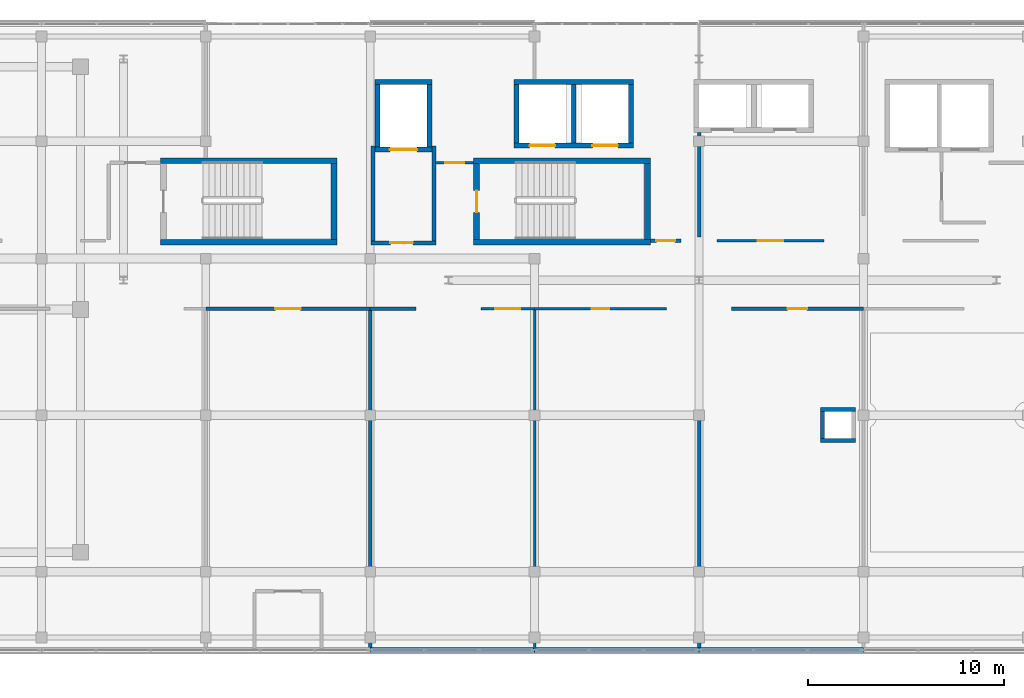
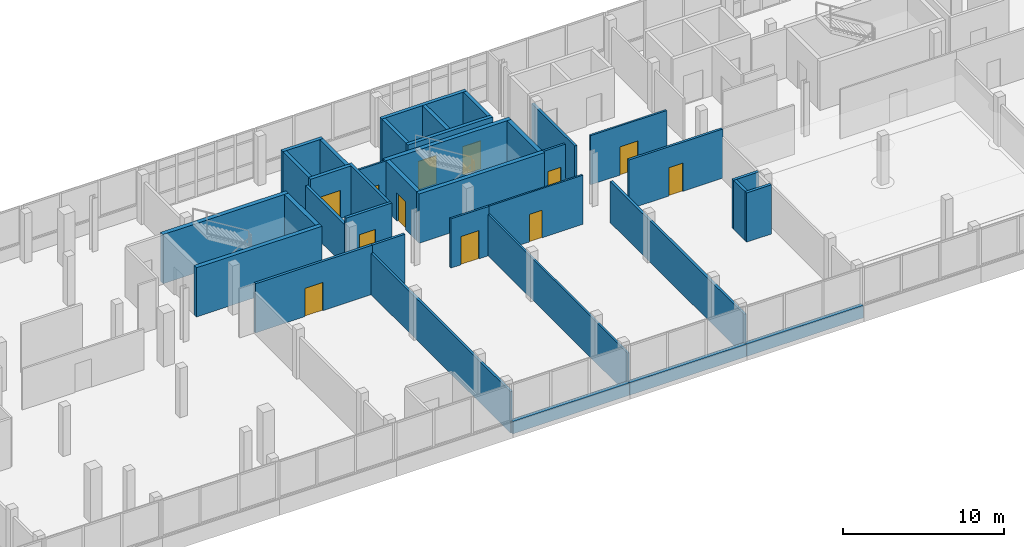
# One storey, part 58 of 67: 37 walls, 12 doors, 12 openings.
"""IFC4 building model written with IfcOpenShell, lengths in metres."""

from ifc_helpers import new_model, si_unit, direction, frame, frame_2d, origin, place, context, subcontext, project, spatial, rectangle, extrude, material, layer, layer_set, type_object, element, fill, save


model = new_model("IFC4")

# Units and contexts
model_context = context("Model", 3, precision=1e-05, world=origin(), true_north=direction((0.0, 1.0)))
body_context = subcontext(model_context, "Body", "Model", "MODEL_VIEW")
ifc_project = project(units=[si_unit("LENGTHUNIT", "METRE"), si_unit("AREAUNIT", "SQUARE_METRE"), si_unit("VOLUMEUNIT", "CUBIC_METRE"), si_unit("PLANEANGLEUNIT", "RADIAN"), si_unit("MASSUNIT", "GRAM", prefix="KILO")], contexts=[model_context])

# Site, building, storey
site_placement = place(None, origin())
site = spatial("IfcSite", under=ifc_project, at=site_placement, CompositionType="ELEMENT")
building_placement = place(site_placement, origin())
building = spatial("IfcBuilding", under=site, at=building_placement, Name="Selatvlak General Hospital", CompositionType="ELEMENT")
storey_placement = place(building_placement, frame((0.0, 0.0, 35.39990234375)))
storey = spatial("IfcBuildingStorey", under=building, at=storey_placement, Name="L08", CompositionType="ELEMENT", Elevation=35.39990234375)

# Walls
ifc_material_1 = material(Name="Precast concrete C40/50 - white Bauhaus spandrel", Category="concrete")
ifc_layer_1 = layer(ifc_material_1, 0.280029296875, Name="Precast concrete C40/50 - white Bauhaus spandrel", Category="concrete")
ifc_layer_set_1 = layer_set([ifc_layer_1], Name="Precast concrete C40/50 - white Bauhaus spandrel")
wall_type_1 = type_object("IfcWallType", Name="WALL-EW-02", PredefinedType="SOLIDWALL", material=ifc_layer_set_1)
for number, where, z_axis, x_axis, name in (
    (1, (123.597900390625, 88.0009765625, 0.0), (0.0, 0.0, 1.0), (-1.0, 0.0, 0.0), "L08 Bauhaus spandrel sill wall 0626"),
    (2, (115.197998046875, 88.0009765625, 0.0), (0.0, 0.0, 1.0), (-1.0, 0.0, 0.0), "L08 Bauhaus spandrel sill wall 0627"),
    (3, (106.798095703125, 88.0009765625, 0.0), (0.0, 0.0, 1.0), (-1.0, 0.0, 0.0), "L08 Bauhaus spandrel sill wall 0628"),
):
    element("IfcWall", number, at=place(storey_placement, frame(where, z_axis=z_axis, x_axis=x_axis)), inside=storey, type_object=wall_type_1, Name=name, PredefinedType="SOLIDWALL", context=body_context, shape_type="SweptSolid", body=[
        extrude(rectangle(XDim=8.39599609375, YDim=0.280029296875, at=frame_2d((4.197998046875, 0.0))), origin(), (0.0, 0.0, 1.0), 0.940185546875),
    ])

# Wall, opening, door
ifc_material_2 = material(Name="Concrete C40/50", Category="concrete")
ifc_layer_2 = layer(ifc_material_2, 0.199951171875, Name="Concrete C40/50", Category="concrete")
ifc_layer_set_2 = layer_set([ifc_layer_2], Name="Concrete C40/50")
wall_type_2 = type_object("IfcWallType", Name="WALL-IW-02", PredefinedType="SOLIDWALL", material=ifc_layer_set_2)
wall_1_placement = place(storey_placement, frame((98.449951171875, 108.800048828125, 0.0), z_axis=(0.0, 0.0, 1.0), x_axis=(1.0, 0.0, 0.0)))
wall_1 = element("IfcWall", 4, at=wall_1_placement, inside=storey, type_object=wall_type_2, Name="Firefighting lobby C2 wall L08 S", PredefinedType="SOLIDWALL", context=body_context, shape_type="SweptSolid", body=[
    extrude(rectangle(XDim=3.300048828125, YDim=0.199951171875, at=frame_2d((1.64990234375, 0.0))), origin(), (0.0, 0.0, 1.0), 3.739990234375),
])
opening_1_placement = place(wall_1_placement, frame((0.97509765625, 0.0, 0.0)))
opening_1 = element("IfcOpeningElement", 5, at=opening_1_placement, cuts=wall_1, Name="Opening D-06", PredefinedType="OPENING", context=body_context, shape_type="SweptSolid", body=[
    extrude(rectangle(XDim=1.14990234375, YDim=2.14990234375, at=frame_2d((0.574951171875, 1.074951171875))), frame((0.0, 0.10986328125, 0.0), z_axis=(0.0, -1.0, 0.0), x_axis=(1.0, 0.0, 0.0)), (0.0, 0.0, 1.0), 0.219970703125),
])
ifc_material_3 = material(Name="Firefighting lobby fire door")
door_type_1 = type_object("IfcDoorType", Name="DOOR-D-06", OperationType="NOTDEFINED", PredefinedType="DOOR", material=ifc_material_3)
door_1_placement = place(opening_1_placement, origin())
door_1 = element("IfcDoor", 6, at=door_1_placement, inside=storey, type_object=door_type_1, Name="Firefighting lobby C2 door on L08", OperationType="SINGLE_SWING_RIGHT", OverallHeight=2.14990234375, OverallWidth=1.14990234375, PredefinedType="DOOR", context=body_context, shape_type="SweptSolid", body=[
    extrude(rectangle(XDim=1.14990234375, YDim=2.14990234375, at=frame_2d((0.574951171875, 1.074951171875))), frame((0.0, 0.02490234375, 0.0), z_axis=(0.0, -1.0, 0.0), x_axis=(1.0, 0.0, 0.0)), (0.0, 0.0, 1.0), 0.050048828125),
])
fill(opening_1, door_1)

# Walls
wall_2_placement = place(storey_placement, frame((101.64990234375, 108.89990234375, 0.0), z_axis=(0.0, 0.0, 1.0), x_axis=(0.0, 1.0, 0.0)))
element("IfcWall", 7, at=wall_2_placement, inside=storey, type_object=wall_type_2, Name="Firefighting lobby C2 wall L08 E", PredefinedType="SOLIDWALL", context=body_context, shape_type="SweptSolid", body=[
    extrude(rectangle(XDim=4.85009765625, YDim=0.199951171875, at=frame_2d((2.425048828125, 0.0))), origin(), (0.0, 0.0, 1.0), 3.739990234375),
])
wall_3_placement = place(storey_placement, frame((98.550048828125, 113.75, 0.0), z_axis=(0.0, 0.0, 1.0), x_axis=(0.0, -1.0, 0.0)))
element("IfcWall", 8, at=wall_3_placement, inside=storey, type_object=wall_type_2, Name="Firefighting lobby C2 wall L08 W", PredefinedType="SOLIDWALL", context=body_context, shape_type="SweptSolid", body=[
    extrude(rectangle(XDim=4.85009765625, YDim=0.199951171875, at=frame_2d((2.425048828125, 0.0))), origin(), (0.0, 0.0, 1.0), 3.14013671875),
])
for number, where, z_axis, x_axis, name in (
    (9, (121.39990234375, 98.699951171875, 0.0), (0.0, 0.0, 1.0), (1.0, 0.0, 0.0), "Service riser 2 shaft wall L08 S"),
    (10, (123.199951171875, 100.300048828125, 0.0), (0.0, 0.0, 1.0), (-1.0, 0.0, 0.0), "Service riser 2 shaft wall L08 N"),
):
    element("IfcWall", number, at=place(storey_placement, frame(where, z_axis=z_axis, x_axis=x_axis)), inside=storey, type_object=wall_type_2, Name=name, PredefinedType="SOLIDWALL", context=body_context, shape_type="SweptSolid", body=[
        extrude(rectangle(XDim=1.800048828125, YDim=0.199951171875, at=frame_2d((0.89990234375, 0.0))), origin(), (0.0, 0.0, 1.0), 3.739990234375),
    ])
wall_4_placement = place(storey_placement, frame((121.5, 100.199951171875, 0.0), z_axis=(0.0, 0.0, 1.0), x_axis=(0.0, -1.0, 0.0)))
element("IfcWall", 11, at=wall_4_placement, inside=storey, type_object=wall_type_2, Name="Service riser 2 shaft wall L08 W", PredefinedType="SOLIDWALL", context=body_context, shape_type="SweptSolid", body=[
    extrude(rectangle(XDim=1.39990234375, YDim=0.199951171875, at=frame_2d((0.699951171875, 0.0))), origin(), (0.0, 0.0, 1.0), 3.739990234375),
])

# Wall, opening, door
ifc_material_4 = material(Name="Acoustic gypsum stud partition")
ifc_layer_3 = layer(ifc_material_4, 0.179931640625, Name="Acoustic gypsum stud partition")
ifc_layer_set_3 = layer_set([ifc_layer_3], Name="Acoustic gypsum stud partition")
wall_type_3 = type_object("IfcWallType", Name="WALL-PT-01", PredefinedType="PARTITIONING", material=ifc_layer_set_3)
wall_5_placement = place(storey_placement, frame((90.0, 105.43994140625, 0.0), z_axis=(0.0, 0.0, 1.0), x_axis=(1.0, 0.0, 0.0)))
wall_5 = element("IfcWall", 12, at=wall_5_placement, inside=storey, type_object=wall_type_3, Name="L08 clinical partition PT-L08-2181", PredefinedType="PARTITIONING", context=body_context, shape_type="SweptSolid", body=[
    extrude(rectangle(XDim=8.39990234375, YDim=0.179931640625, at=frame_2d((4.199951171875, 0.0))), origin(), (0.0, 0.0, 1.0), 3.739990234375),
])
opening_2_placement = place(wall_5_placement, frame((3.550048828125, 0.0, 0.0)))
opening_2 = element("IfcOpeningElement", 13, at=opening_2_placement, cuts=wall_5, Name="Opening D-09", PredefinedType="OPENING", context=body_context, shape_type="SweptSolid", body=[
    extrude(rectangle(XDim=1.300048828125, YDim=2.14990234375, at=frame_2d((0.64990234375, 1.074951171875))), frame((0.0, 0.099853515625, 0.0), z_axis=(0.0, -1.0, 0.0), x_axis=(1.0, 0.0, 0.0)), (0.0, 0.0, 1.0), 0.199951171875),
])
ifc_material_5 = material(Name="Outpatient procedure door")
door_type_2 = type_object("IfcDoorType", Name="DOOR-D-09", OperationType="NOTDEFINED", PredefinedType="DOOR", material=ifc_material_5)
door_2_placement = place(opening_2_placement, origin())
door_2 = element("IfcDoor", 14, at=door_2_placement, inside=storey, type_object=door_type_2, Name="L08 Airborne Isolation Patient Room 07 door", OperationType="SINGLE_SWING_LEFT", OverallHeight=2.14990234375, OverallWidth=1.300048828125, PredefinedType="DOOR", context=body_context, shape_type="SweptSolid", body=[
    extrude(rectangle(XDim=1.300048828125, YDim=2.14990234375, at=frame_2d((0.64990234375, 1.074951171875))), frame((0.0, 0.02490234375, 0.0), z_axis=(0.0, -1.0, 0.0), x_axis=(1.0, 0.0, 0.0)), (0.0, 0.0, 1.0), 0.050048828125),
])
fill(opening_2, door_2)

# Walls
wall_6_placement = place(storey_placement, frame((115.199951171875, 104.68994140625, 0.0), z_axis=(0.0, 0.0, 1.0), x_axis=(0.0, -1.0, 0.0)))
element("IfcWall", 15, at=wall_6_placement, inside=storey, type_object=wall_type_3, Name="L08 clinical partition PT-L08-2190", PredefinedType="PARTITIONING", context=body_context, shape_type="SweptSolid", body=[
    extrude(rectangle(XDim=16.679931640625, YDim=0.179931640625, at=frame_2d((8.33984375, 0.0))), origin(), (0.0, 0.0, 1.0), 3.14013671875),
])
wall_7_placement = place(storey_placement, frame((115.199951171875, 114.452880859375, 0.0), z_axis=(0.0, 0.0, 1.0), x_axis=(0.0, -1.0, 0.0)))
element("IfcWall", 16, at=wall_7_placement, inside=storey, type_object=wall_type_3, Name="L08 clinical partition PT-L08-2225", PredefinedType="PARTITIONING", context=body_context, shape_type="SweptSolid", body=[
    extrude(rectangle(XDim=5.3427734375, YDim=0.179931640625, at=frame_2d((2.67138671875, 0.0))), origin(), (0.0, 0.0, 1.0), 3.14013671875),
])
ifc_layer_4 = layer(ifc_material_4, 0.1650390625, Name="Acoustic gypsum stud partition")
ifc_layer_set_4 = layer_set([ifc_layer_4], Name="Acoustic gypsum stud partition")
wall_type_4 = type_object("IfcWallType", Name="WALL-PT-02", PredefinedType="PARTITIONING", material=ifc_layer_set_4)
wall_8_placement = place(storey_placement, frame((98.39990234375, 105.35400390625, 0.0), z_axis=(0.0, 0.0, 1.0), x_axis=(0.0, -1.0, 0.0)))
element("IfcWall", 17, at=wall_8_placement, inside=storey, type_object=wall_type_4, Name="L08 clinical partition PT-L08-2182", PredefinedType="PARTITIONING", context=body_context, shape_type="SweptSolid", body=[
    extrude(rectangle(XDim=17.343994140625, YDim=0.1650390625, at=frame_2d((8.671875, 0.0))), origin(), (0.0, 0.0, 1.0), 3.14013671875),
])
wall_9_placement = place(storey_placement, frame((98.39990234375, 105.43994140625, 0.0), z_axis=(0.0, 0.0, 1.0), x_axis=(1.0, 0.0, 0.0)))
element("IfcWall", 18, at=wall_9_placement, inside=storey, type_object=wall_type_4, Name="L08 clinical partition PT-L08-2186", PredefinedType="PARTITIONING", context=body_context, shape_type="SweptSolid", body=[
    extrude(rectangle(XDim=2.343994140625, YDim=0.1650390625, at=frame_2d((1.171875, 0.0))), origin(), (0.0, 0.0, 1.0), 3.739990234375),
])

# Wall, opening, door
wall_10_placement = place(storey_placement, frame((116.85595703125, 105.43994140625, 0.0), z_axis=(0.0, 0.0, 1.0), x_axis=(1.0, 0.0, 0.0)))
wall_10 = element("IfcWall", 19, at=wall_10_placement, inside=storey, type_object=wall_type_4, Name="L08 clinical partition PT-L08-2191", PredefinedType="PARTITIONING", context=body_context, shape_type="SweptSolid", body=[
    extrude(rectangle(XDim=6.744140625, YDim=0.1650390625, at=frame_2d((3.3720703125, 0.0))), origin(), (0.0, 0.0, 1.0), 3.739990234375),
])
opening_3_placement = place(wall_10_placement, frame((2.8720703125, 0.0, 0.0)))
opening_3 = element("IfcOpeningElement", 20, at=opening_3_placement, cuts=wall_10, Name="Opening D-21", PredefinedType="OPENING", context=body_context, shape_type="SweptSolid", body=[
    extrude(rectangle(XDim=1.0, YDim=2.14990234375, at=frame_2d((0.5, 1.074951171875))), frame((0.0, 0.092529296875, 0.0), z_axis=(0.0, -1.0, 0.0), x_axis=(1.0, 0.0, 0.0)), (0.0, 0.0, 1.0), 0.18505859375),
])
ifc_material_6 = material(Name="Laboratory fire door")
door_type_3 = type_object("IfcDoorType", Name="DOOR-D-21", OperationType="NOTDEFINED", PredefinedType="DOOR", material=ifc_material_6)
door_3_placement = place(opening_3_placement, origin())
door_3 = element("IfcDoor", 21, at=door_3_placement, inside=storey, type_object=door_type_3, Name="L08 On-Call Physician Duty Suite 10 door", OperationType="SINGLE_SWING_LEFT", OverallHeight=2.14990234375, OverallWidth=1.0, PredefinedType="DOOR", context=body_context, shape_type="SweptSolid", body=[
    extrude(rectangle(XDim=1.0, YDim=2.14990234375, at=frame_2d((0.5, 1.074951171875))), frame((0.0, 0.02490234375, 0.0), z_axis=(0.0, -1.0, 0.0), x_axis=(1.0, 0.0, 0.0)), (0.0, 0.0, 1.0), 0.050048828125),
])
fill(opening_3, door_3)

wall_11_placement = place(storey_placement, frame((114.287109375, 108.909912109375, 0.0), z_axis=(0.0, 0.0, 1.0), x_axis=(-1.0, 0.0, 0.0)))
wall_11 = element("IfcWall", 22, at=wall_11_placement, inside=storey, type_object=wall_type_4, Name="L08 clinical partition PT-L08-2226", PredefinedType="PARTITIONING", context=body_context, shape_type="SweptSolid", body=[
    extrude(rectangle(XDim=1.5771484375, YDim=0.1650390625, at=frame_2d((0.78857421875, 0.0))), origin(), (0.0, 0.0, 1.0), 3.739990234375),
])
opening_4_placement = place(wall_11_placement, frame((0.31396484375, 0.0, 0.0)))
opening_4 = element("IfcOpeningElement", 23, at=opening_4_placement, cuts=wall_11, Name="Opening D-02", PredefinedType="OPENING", context=body_context, shape_type="SweptSolid", body=[
    extrude(rectangle(XDim=0.949951171875, YDim=2.10009765625, at=frame_2d((0.47509765625, 1.050048828125))), frame((0.0, 0.092529296875, 0.0), z_axis=(0.0, -1.0, 0.0), x_axis=(1.0, 0.0, 0.0)), (0.0, 0.0, 1.0), 0.18505859375),
])
ifc_material_7 = material(Name="Moisture-resistant en-suite door")
door_type_4 = type_object("IfcDoorType", Name="DOOR-D-02", OperationType="NOTDEFINED", PredefinedType="DOOR", material=ifc_material_7)
door_4_placement = place(opening_4_placement, origin())
door_4 = element("IfcDoor", 24, at=door_4_placement, inside=storey, type_object=door_type_4, Name="L08 On-Call Physician Duty Suite 22 door", OperationType="SINGLE_SWING_RIGHT", OverallHeight=2.10009765625, OverallWidth=0.949951171875, PredefinedType="DOOR", context=body_context, shape_type="SweptSolid", body=[
    extrude(rectangle(XDim=0.949951171875, YDim=2.10009765625, at=frame_2d((0.47509765625, 1.050048828125))), frame((0.0, 0.02490234375, 0.0), z_axis=(0.0, -1.0, 0.0), x_axis=(1.0, 0.0, 0.0)), (0.0, 0.0, 1.0), 0.050048828125),
])
fill(opening_4, door_4)

ifc_layer_5 = layer(ifc_material_4, 0.14990234375, Name="Acoustic gypsum stud partition")
ifc_layer_set_5 = layer_set([ifc_layer_5], Name="Acoustic gypsum stud partition")
wall_type_5 = type_object("IfcWallType", Name="WALL-PT-03", PredefinedType="PARTITIONING", material=ifc_layer_set_5)
wall_12_placement = place(storey_placement, frame((104.055908203125, 105.43994140625, 0.0), z_axis=(0.0, 0.0, 1.0), x_axis=(1.0, 0.0, 0.0)))
wall_12 = element("IfcWall", 25, at=wall_12_placement, inside=storey, type_object=wall_type_5, Name="L08 clinical partition PT-L08-2187", PredefinedType="PARTITIONING", context=body_context, shape_type="SweptSolid", body=[
    extrude(rectangle(XDim=2.744140625, YDim=0.14990234375, at=frame_2d((1.3720703125, 0.0))), origin(), (0.0, 0.0, 1.0), 3.739990234375),
])
opening_5_placement = place(wall_12_placement, frame((0.721923828125, 0.0, 0.0)))
opening_5 = element("IfcOpeningElement", 26, at=opening_5_placement, cuts=wall_12, Name="Opening D-24", PredefinedType="OPENING", context=body_context, shape_type="SweptSolid", body=[
    extrude(rectangle(XDim=1.300048828125, YDim=2.14990234375, at=frame_2d((0.64990234375, 1.074951171875))), frame((0.0, 0.0849609375, 0.0), z_axis=(0.0, -1.0, 0.0), x_axis=(1.0, 0.0, 0.0)), (0.0, 0.0, 1.0), 0.169921875),
])
ifc_material_8 = material(Name="Oncology bay door")
door_type_5 = type_object("IfcDoorType", Name="DOOR-D-24", OperationType="NOTDEFINED", PredefinedType="DOOR", material=ifc_material_8)
door_5_placement = place(opening_5_placement, origin())
door_5 = element("IfcDoor", 27, at=door_5_placement, inside=storey, type_object=door_type_5, Name="L08 Helipad Trauma Staging Room 08 door", OperationType="SINGLE_SWING_LEFT", OverallHeight=2.14990234375, OverallWidth=1.300048828125, PredefinedType="DOOR", context=body_context, shape_type="SweptSolid", body=[
    extrude(rectangle(XDim=1.300048828125, YDim=2.14990234375, at=frame_2d((0.64990234375, 1.074951171875))), frame((0.0, 0.02490234375, 0.0), z_axis=(0.0, -1.0, 0.0), x_axis=(1.0, 0.0, 0.0)), (0.0, 0.0, 1.0), 0.050048828125),
])
fill(opening_5, door_5)

# Wall
ifc_material_9 = material(Name="Moisture-resistant clinical partition")
ifc_layer_6 = layer(ifc_material_9, 0.135009765625, Name="Moisture-resistant clinical partition")
ifc_layer_set_6 = layer_set([ifc_layer_6], Name="Moisture-resistant clinical partition")
wall_type_6 = type_object("IfcWallType", Name="WALL-PT-04", PredefinedType="PARTITIONING", material=ifc_layer_set_6)
wall_13_placement = place(storey_placement, frame((106.800048828125, 105.368896484375, 0.0), z_axis=(0.0, 0.0, 1.0), x_axis=(0.0, -1.0, 0.0)))
element("IfcWall", 28, at=wall_13_placement, inside=storey, type_object=wall_type_6, Name="L08 clinical partition PT-L08-2188", PredefinedType="PARTITIONING", context=body_context, shape_type="SweptSolid", body=[
    extrude(rectangle(XDim=17.35888671875, YDim=0.135009765625, at=frame_2d((8.679443359375, 0.0))), origin(), (0.0, 0.0, 1.0), 3.14013671875),
])

# Wall, opening, door
wall_14_placement = place(storey_placement, frame((103.68994140625, 112.89990234375, 0.0), z_axis=(0.0, 0.0, 1.0), x_axis=(-1.0, 0.0, 0.0)))
wall_14 = element("IfcWall", 29, at=wall_14_placement, inside=storey, type_object=wall_type_6, Name="L08 clinical partition PT-L08-2223", PredefinedType="PARTITIONING", context=body_context, shape_type="SweptSolid", body=[
    extrude(rectangle(XDim=1.94287109375, YDim=0.135009765625, at=frame_2d((0.971435546875, 0.0))), origin(), (0.0, 0.0, 1.0), 3.739990234375),
])
opening_6_placement = place(wall_14_placement, frame((0.49609375, 0.0, 0.0)))
opening_6 = element("IfcOpeningElement", 30, at=opening_6_placement, cuts=wall_14, Name="Opening D-02", PredefinedType="OPENING", context=body_context, shape_type="SweptSolid", body=[
    extrude(rectangle(XDim=0.949951171875, YDim=2.10009765625, at=frame_2d((0.47509765625, 1.050048828125))), frame((0.0, 0.077392578125, 0.0), z_axis=(0.0, -1.0, 0.0), x_axis=(1.0, 0.0, 0.0)), (0.0, 0.0, 1.0), 0.155029296875),
])
door_6_placement = place(opening_6_placement, origin())
door_6 = element("IfcDoor", 31, at=door_6_placement, inside=storey, type_object=door_type_4, Name="L08 Infectious Disease Treatment Bay 21 door", OperationType="SINGLE_SWING_LEFT", OverallHeight=2.10009765625, OverallWidth=0.949951171875, PredefinedType="DOOR", context=body_context, shape_type="SweptSolid", body=[
    extrude(rectangle(XDim=0.949951171875, YDim=2.10009765625, at=frame_2d((0.47509765625, 1.050048828125))), frame((0.0, 0.02490234375, 0.0), z_axis=(0.0, -1.0, 0.0), x_axis=(1.0, 0.0, 0.0)), (0.0, 0.0, 1.0), 0.050048828125),
])
fill(opening_6, door_6)

wall_15_placement = place(storey_placement, frame((121.589111328125, 108.909912109375, 0.0), z_axis=(0.0, 0.0, 1.0), x_axis=(-1.0, 0.0, 0.0)))
wall_15 = element("IfcWall", 32, at=wall_15_placement, inside=storey, type_object=wall_type_6, Name="L08 clinical partition PT-L08-2228", PredefinedType="PARTITIONING", context=body_context, shape_type="SweptSolid", body=[
    extrude(rectangle(XDim=5.47607421875, YDim=0.135009765625, at=frame_2d((2.738037109375, 0.0))), origin(), (0.0, 0.0, 1.0), 3.739990234375),
])
opening_7_placement = place(wall_15_placement, frame((2.087890625, 0.0, 0.0)))
opening_7 = element("IfcOpeningElement", 33, at=opening_7_placement, cuts=wall_15, Name="Opening D-09", PredefinedType="OPENING", context=body_context, shape_type="SweptSolid", body=[
    extrude(rectangle(XDim=1.300048828125, YDim=2.14990234375, at=frame_2d((0.64990234375, 1.074951171875))), frame((0.0, 0.077392578125, 0.0), z_axis=(0.0, -1.0, 0.0), x_axis=(1.0, 0.0, 0.0)), (0.0, 0.0, 1.0), 0.155029296875),
])
door_7_placement = place(opening_7_placement, origin())
door_7 = element("IfcDoor", 34, at=door_7_placement, inside=storey, type_object=door_type_2, Name="L08 Clinical Governance Office 23 door", OperationType="SINGLE_SWING_LEFT", OverallHeight=2.14990234375, OverallWidth=1.300048828125, PredefinedType="DOOR", context=body_context, shape_type="SweptSolid", body=[
    extrude(rectangle(XDim=1.300048828125, YDim=2.14990234375, at=frame_2d((0.64990234375, 1.074951171875))), frame((0.0, 0.02490234375, 0.0), z_axis=(0.0, -1.0, 0.0), x_axis=(1.0, 0.0, 0.0)), (0.0, 0.0, 1.0), 0.050048828125),
])
fill(opening_7, door_7)

ifc_layer_7 = layer(ifc_material_9, 0.1201171875, Name="Moisture-resistant clinical partition")
ifc_layer_set_7 = layer_set([ifc_layer_7], Name="Moisture-resistant clinical partition")
wall_type_7 = type_object("IfcWallType", Name="WALL-PT-05", PredefinedType="PARTITIONING", material=ifc_layer_set_7)
wall_16_placement = place(storey_placement, frame((106.800048828125, 105.43994140625, 0.0), z_axis=(0.0, 0.0, 1.0), x_axis=(1.0, 0.0, 0.0)))
wall_16 = element("IfcWall", 35, at=wall_16_placement, inside=storey, type_object=wall_type_7, Name="L08 clinical partition PT-L08-2189", PredefinedType="PARTITIONING", context=body_context, shape_type="SweptSolid", body=[
    extrude(rectangle(XDim=6.743896484375, YDim=0.1201171875, at=frame_2d((3.3720703125, 0.0))), origin(), (0.0, 0.0, 1.0), 3.739990234375),
])
opening_8_placement = place(wall_16_placement, frame((2.922119140625, 0.0, 0.0)))
opening_8 = element("IfcOpeningElement", 36, at=opening_8_placement, cuts=wall_16, Name="Opening D-01", PredefinedType="OPENING", context=body_context, shape_type="SweptSolid", body=[
    extrude(rectangle(XDim=0.89990234375, YDim=2.10009765625, at=frame_2d((0.449951171875, 1.050048828125))), frame((0.0, 0.070068359375, 0.0), z_axis=(0.0, -1.0, 0.0), x_axis=(1.0, 0.0, 0.0)), (0.0, 0.0, 1.0), 0.14013671875),
])
ifc_material_10 = material(Name="Hardwood clinical room door", Category="wood")
door_type_6 = type_object("IfcDoorType", Name="DOOR-D-01", OperationType="NOTDEFINED", PredefinedType="DOOR", material=ifc_material_10)
door_8_placement = place(opening_8_placement, origin())
door_8 = element("IfcDoor", 37, at=door_8_placement, inside=storey, type_object=door_type_6, Name="L08 Outpatient Specialist Waiting Concourse 09 door", OperationType="SINGLE_SWING_RIGHT", OverallHeight=2.10009765625, OverallWidth=0.89990234375, PredefinedType="DOOR", context=body_context, shape_type="SweptSolid", body=[
    extrude(rectangle(XDim=0.89990234375, YDim=2.10009765625, at=frame_2d((0.449951171875, 1.050048828125))), frame((0.0, 0.02490234375, 0.0), z_axis=(0.0, -1.0, 0.0), x_axis=(1.0, 0.0, 0.0)), (0.0, 0.0, 1.0), 0.050048828125),
])
fill(opening_8, door_8)

# Walls
ifc_material_11 = material(Name="Concrete C45/55", Category="concrete")
ifc_layer_8 = layer(ifc_material_11, 0.300048828125, Name="Concrete C45/55", Category="concrete")
ifc_layer_set_8 = layer_set([ifc_layer_8], Name="Concrete C45/55")
wall_type_8 = type_object("IfcWallType", Name="WALL-SW-02", PredefinedType="SHEAR", material=ifc_layer_set_8)
wall_17_placement = place(storey_placement, frame((87.68994140625, 108.840087890625, 0.0), z_axis=(0.0, 0.0, 1.0), x_axis=(1.0, 0.0, 0.0)))
element("IfcWall", 38, at=wall_17_placement, inside=storey, type_object=wall_type_8, Name="ST-02 core shear wall L08 S", PredefinedType="SHEAR", context=body_context, shape_type="SweptSolid", body=[
    extrude(rectangle(XDim=9.02001953125, YDim=0.300048828125, at=frame_2d((4.510009765625, 0.0))), origin(), (0.0, 0.0, 1.0), 3.739990234375),
])
wall_18_placement = place(storey_placement, frame((96.56005859375, 108.989990234375, 0.0), z_axis=(0.0, 0.0, 1.0), x_axis=(0.0, 1.0, 0.0)))
element("IfcWall", 39, at=wall_18_placement, inside=storey, type_object=wall_type_8, Name="ST-02 core shear wall L08 E", PredefinedType="SHEAR", context=body_context, shape_type="SweptSolid", body=[
    extrude(rectangle(XDim=3.860107421875, YDim=0.300048828125, at=frame_2d((1.93017578125, 0.0))), origin(), (0.0, 0.0, 1.0), 3.739990234375),
])
for number, where, z_axis, x_axis, name in (
    (40, (96.7099609375, 113.0, 0.0), (0.0, 0.0, 1.0), (-1.0, 0.0, 0.0), "ST-02 core shear wall L08 N"),
    (41, (103.68994140625, 108.840087890625, 0.0), (0.0, 0.0, 1.0), (1.0, 0.0, 0.0), "ST-03 core shear wall L08 S"),
):
    element("IfcWall", number, at=place(storey_placement, frame(where, z_axis=z_axis, x_axis=x_axis)), inside=storey, type_object=wall_type_8, Name=name, PredefinedType="SHEAR", context=body_context, shape_type="SweptSolid", body=[
        extrude(rectangle(XDim=9.02001953125, YDim=0.300048828125, at=frame_2d((4.510009765625, 0.0))), origin(), (0.0, 0.0, 1.0), 3.739990234375),
    ])
wall_19_placement = place(storey_placement, frame((112.56005859375, 108.989990234375, 0.0), z_axis=(0.0, 0.0, 1.0), x_axis=(0.0, 1.0, 0.0)))
element("IfcWall", 42, at=wall_19_placement, inside=storey, type_object=wall_type_8, Name="ST-03 core shear wall L08 E", PredefinedType="SHEAR", context=body_context, shape_type="SweptSolid", body=[
    extrude(rectangle(XDim=3.860107421875, YDim=0.300048828125, at=frame_2d((1.93017578125, 0.0))), origin(), (0.0, 0.0, 1.0), 3.739990234375),
])
wall_20_placement = place(storey_placement, frame((112.7099609375, 113.0, 0.0), z_axis=(0.0, 0.0, 1.0), x_axis=(-1.0, 0.0, 0.0)))
element("IfcWall", 43, at=wall_20_placement, inside=storey, type_object=wall_type_8, Name="ST-03 core shear wall L08 N", PredefinedType="SHEAR", context=body_context, shape_type="SweptSolid", body=[
    extrude(rectangle(XDim=9.02001953125, YDim=0.300048828125, at=frame_2d((4.510009765625, 0.0))), origin(), (0.0, 0.0, 1.0), 3.739990234375),
])

# Wall, opening, door
wall_21_placement = place(storey_placement, frame((103.840087890625, 112.85009765625, 0.0), z_axis=(0.0, 0.0, 1.0), x_axis=(0.0, -1.0, 0.0)))
wall_21 = element("IfcWall", 44, at=wall_21_placement, inside=storey, type_object=wall_type_8, Name="ST-03 core shear wall L08 W", PredefinedType="SHEAR", context=body_context, shape_type="SweptSolid", body=[
    extrude(rectangle(XDim=3.860107421875, YDim=0.300048828125, at=frame_2d((1.93017578125, 0.0))), origin(), (0.0, 0.0, 1.0), 3.739990234375),
])
opening_9_placement = place(wall_21_placement, frame((1.3798828125, 0.0, 0.0)))
opening_9 = element("IfcOpeningElement", 45, at=opening_9_placement, cuts=wall_21, Name="Opening D-05", PredefinedType="OPENING", context=body_context, shape_type="SweptSolid", body=[
    extrude(rectangle(XDim=1.10009765625, YDim=2.14990234375, at=frame_2d((0.550048828125, 1.074951171875))), frame((0.0, 0.159912109375, 0.0), z_axis=(0.0, -1.0, 0.0), x_axis=(1.0, 0.0, 0.0)), (0.0, 0.0, 1.0), 0.320068359375),
])
ifc_material_12 = material(Name="Protected stair fire door")
door_type_7 = type_object("IfcDoorType", Name="DOOR-D-05", OperationType="NOTDEFINED", PredefinedType="DOOR", material=ifc_material_12)
door_9_placement = place(opening_9_placement, origin())
door_9 = element("IfcDoor", 46, at=door_9_placement, inside=storey, type_object=door_type_7, Name="ST-03 protected stair door on L08", OperationType="SINGLE_SWING_RIGHT", OverallHeight=2.14990234375, OverallWidth=1.10009765625, PredefinedType="DOOR", context=body_context, shape_type="SweptSolid", body=[
    extrude(rectangle(XDim=1.10009765625, YDim=2.14990234375, at=frame_2d((0.550048828125, 1.074951171875))), frame((0.0, 0.02490234375, 0.0), z_axis=(0.0, -1.0, 0.0), x_axis=(1.0, 0.0, 0.0)), (0.0, 0.0, 1.0), 0.050048828125),
])
fill(opening_9, door_9)

ifc_layer_9 = layer(ifc_material_2, 0.25, Name="Concrete C40/50", Category="concrete")
ifc_layer_set_9 = layer_set([ifc_layer_9], Name="Concrete C40/50")
wall_type_9 = type_object("IfcWallType", Name="WALL-SW-03", PredefinedType="SHEAR", material=ifc_layer_set_9)
wall_22_placement = place(storey_placement, frame((98.64990234375, 113.574951171875, 0.0), z_axis=(0.0, 0.0, 1.0), x_axis=(1.0, 0.0, 0.0)))
wall_22 = element("IfcWall", 47, at=wall_22_placement, inside=storey, type_object=wall_type_9, Name="Lift LF-02 shaft wall L08 S", PredefinedType="SHEAR", context=body_context, shape_type="SweptSolid", body=[
    extrude(rectangle(XDim=2.900146484375, YDim=0.25, at=frame_2d((1.4501953125, 0.0))), origin(), (0.0, 0.0, 1.0), 3.739990234375),
])
opening_10_placement = place(wall_22_placement, frame((0.75, 0.0, 0.0)))
opening_10 = element("IfcOpeningElement", 48, at=opening_10_placement, cuts=wall_22, Name="Opening LD-F1", PredefinedType="OPENING", context=body_context, shape_type="SweptSolid", body=[
    extrude(rectangle(XDim=1.39990234375, YDim=2.14990234375, at=frame_2d((0.699951171875, 1.074951171875))), frame((0.0, 0.135009765625, 0.0), z_axis=(0.0, -1.0, 0.0), x_axis=(1.0, 0.0, 0.0)), (0.0, 0.0, 1.0), 0.27001953125),
])
ifc_material_13 = material(Name="Stainless steel fire lift landing door", Category="steel")
door_type_8 = type_object("IfcDoorType", Name="DOOR-LD-F1", OperationType="DOUBLE_DOOR_SLIDING", PredefinedType="DOOR", material=ifc_material_13)
door_10_placement = place(opening_10_placement, origin())
door_10 = element("IfcDoor", 49, at=door_10_placement, inside=storey, type_object=door_type_8, Name="Lift LF-02 sliding landing door on L08", OperationType="DOUBLE_DOOR_SLIDING", OverallHeight=2.14990234375, OverallWidth=1.39990234375, PredefinedType="DOOR", context=body_context, shape_type="SweptSolid", body=[
    extrude(rectangle(XDim=1.39990234375, YDim=2.14990234375, at=frame_2d((0.699951171875, 1.074951171875))), frame((0.0, 0.02490234375, 0.0), z_axis=(0.0, -1.0, 0.0), x_axis=(1.0, 0.0, 0.0)), (0.0, 0.0, 1.0), 0.050048828125),
])
fill(opening_10, door_10)

# Walls
wall_23_placement = place(storey_placement, frame((101.425048828125, 113.699951171875, 0.0), z_axis=(0.0, 0.0, 1.0), x_axis=(0.0, 1.0, 0.0)))
element("IfcWall", 50, at=wall_23_placement, inside=storey, type_object=wall_type_9, Name="Lift LF-02 shaft wall L08 E", PredefinedType="SHEAR", context=body_context, shape_type="SweptSolid", body=[
    extrude(rectangle(XDim=3.199951171875, YDim=0.25, at=frame_2d((1.60009765625, 0.0))), origin(), (0.0, 0.0, 1.0), 3.739990234375),
])
wall_24_placement = place(storey_placement, frame((101.550048828125, 117.02490234375, 0.0), z_axis=(0.0, 0.0, 1.0), x_axis=(-1.0, 0.0, 0.0)))
element("IfcWall", 51, at=wall_24_placement, inside=storey, type_object=wall_type_9, Name="Lift LF-02 shaft wall L08 N", PredefinedType="SHEAR", context=body_context, shape_type="SweptSolid", body=[
    extrude(rectangle(XDim=2.900146484375, YDim=0.25, at=frame_2d((1.4501953125, 0.0))), origin(), (0.0, 0.0, 1.0), 3.739990234375),
])
wall_25_placement = place(storey_placement, frame((98.77490234375, 116.89990234375, 0.0), z_axis=(0.0, 0.0, 1.0), x_axis=(0.0, -1.0, 0.0)))
element("IfcWall", 52, at=wall_25_placement, inside=storey, type_object=wall_type_9, Name="Lift LF-02 shaft wall L08 W", PredefinedType="SHEAR", context=body_context, shape_type="SweptSolid", body=[
    extrude(rectangle(XDim=3.199951171875, YDim=0.25, at=frame_2d((1.60009765625, 0.0))), origin(), (0.0, 0.0, 1.0), 3.739990234375),
])

# Wall, openings, doors
wall_26_placement = place(storey_placement, frame((105.75, 113.77490234375, 0.0), z_axis=(0.0, 0.0, 1.0), x_axis=(1.0, 0.0, 0.0)))
wall_26 = element("IfcWall", 53, at=wall_26_placement, inside=storey, type_object=wall_type_9, Name="Lift LS-01-LS-02 shaft wall L08 S", PredefinedType="SHEAR", context=body_context, shape_type="SweptSolid", body=[
    extrude(rectangle(XDim=6.10009765625, YDim=0.25, at=frame_2d((3.050048828125, 0.0))), origin(), (0.0, 0.0, 1.0), 3.739990234375),
])
opening_11_placement = place(wall_26_placement, frame((0.800048828125, 0.0, 0.0)))
opening_11 = element("IfcOpeningElement", 54, at=opening_11_placement, cuts=wall_26, Name="Opening LD-S1", PredefinedType="OPENING", context=body_context, shape_type="SweptSolid", body=[
    extrude(rectangle(XDim=1.300048828125, YDim=2.14990234375, at=frame_2d((0.64990234375, 1.074951171875))), frame((0.0, 0.135009765625, 0.0), z_axis=(0.0, -1.0, 0.0), x_axis=(1.0, 0.0, 0.0)), (0.0, 0.0, 1.0), 0.27001953125),
])
opening_12_placement = place(wall_26_placement, frame((4.0, 0.0, 0.0)))
opening_12 = element("IfcOpeningElement", 55, at=opening_12_placement, cuts=wall_26, Name="Opening LD-S1", PredefinedType="OPENING", context=body_context, shape_type="SweptSolid", body=[
    extrude(rectangle(XDim=1.300048828125, YDim=2.14990234375, at=frame_2d((0.64990234375, 1.074951171875))), frame((0.0, 0.135009765625, 0.0), z_axis=(0.0, -1.0, 0.0), x_axis=(1.0, 0.0, 0.0)), (0.0, 0.0, 1.0), 0.27001953125),
])
ifc_material_14 = material(Name="Stainless steel goods lift landing door", Category="steel")
door_type_9 = type_object("IfcDoorType", Name="DOOR-LD-S1", OperationType="DOUBLE_DOOR_SLIDING", PredefinedType="DOOR", material=ifc_material_14)
door_11_placement = place(opening_11_placement, origin())
door_11 = element("IfcDoor", 56, at=door_11_placement, inside=storey, type_object=door_type_9, Name="Lift LS-01 sliding landing door on L08", OperationType="DOUBLE_DOOR_SLIDING", OverallHeight=2.14990234375, OverallWidth=1.300048828125, PredefinedType="DOOR", context=body_context, shape_type="SweptSolid", body=[
    extrude(rectangle(XDim=1.300048828125, YDim=2.14990234375, at=frame_2d((0.64990234375, 1.074951171875))), frame((0.0, 0.02490234375, 0.0), z_axis=(0.0, -1.0, 0.0), x_axis=(1.0, 0.0, 0.0)), (0.0, 0.0, 1.0), 0.050048828125),
])
fill(opening_11, door_11)
door_12_placement = place(opening_12_placement, origin())
door_12 = element("IfcDoor", 57, at=door_12_placement, inside=storey, type_object=door_type_9, Name="Lift LS-02 sliding landing door on L08", OperationType="DOUBLE_DOOR_SLIDING", OverallHeight=2.14990234375, OverallWidth=1.300048828125, PredefinedType="DOOR", context=body_context, shape_type="SweptSolid", body=[
    extrude(rectangle(XDim=1.300048828125, YDim=2.14990234375, at=frame_2d((0.64990234375, 1.074951171875))), frame((0.0, 0.02490234375, 0.0), z_axis=(0.0, -1.0, 0.0), x_axis=(1.0, 0.0, 0.0)), (0.0, 0.0, 1.0), 0.050048828125),
])
fill(opening_12, door_12)

# Walls
wall_27_placement = place(storey_placement, frame((111.72509765625, 113.89990234375, 0.0), z_axis=(0.0, 0.0, 1.0), x_axis=(0.0, 1.0, 0.0)))
element("IfcWall", 58, at=wall_27_placement, inside=storey, type_object=wall_type_9, Name="Lift LS-01-LS-02 shaft wall L08 E", PredefinedType="SHEAR", context=body_context, shape_type="SweptSolid", body=[
    extrude(rectangle(XDim=3.0, YDim=0.25, at=frame_2d((1.5, 0.0))), origin(), (0.0, 0.0, 1.0), 3.739990234375),
])
wall_28_placement = place(storey_placement, frame((111.85009765625, 117.02490234375, 0.0), z_axis=(0.0, 0.0, 1.0), x_axis=(-1.0, 0.0, 0.0)))
element("IfcWall", 59, at=wall_28_placement, inside=storey, type_object=wall_type_9, Name="Lift LS-01-LS-02 shaft wall L08 N", PredefinedType="SHEAR", context=body_context, shape_type="SweptSolid", body=[
    extrude(rectangle(XDim=6.10009765625, YDim=0.25, at=frame_2d((3.050048828125, 0.0))), origin(), (0.0, 0.0, 1.0), 3.739990234375),
])
for number, where, z_axis, x_axis, name in (
    (60, (105.875, 116.89990234375, 0.0), (0.0, 0.0, 1.0), (0.0, -1.0, 0.0), "Lift LS-01-LS-02 shaft wall L08 W"),
    (61, (108.800048828125, 113.89990234375, 0.0), (0.0, 0.0, 1.0), (0.0, 1.0, 0.0), "Lift LS-01-LS-02 dividing shaft wall L08"),
):
    element("IfcWall", number, at=place(storey_placement, frame(where, z_axis=z_axis, x_axis=x_axis)), inside=storey, type_object=wall_type_9, Name=name, PredefinedType="SHEAR", context=body_context, shape_type="SweptSolid", body=[
        extrude(rectangle(XDim=3.0, YDim=0.25, at=frame_2d((1.5, 0.0))), origin(), (0.0, 0.0, 1.0), 3.739990234375),
    ])

save(model, "model.ifc")
